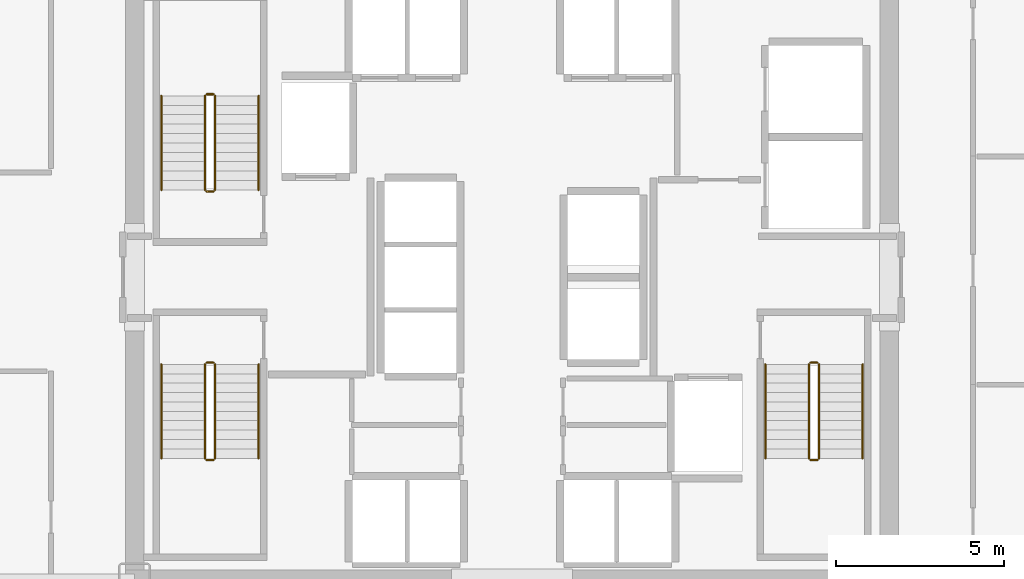
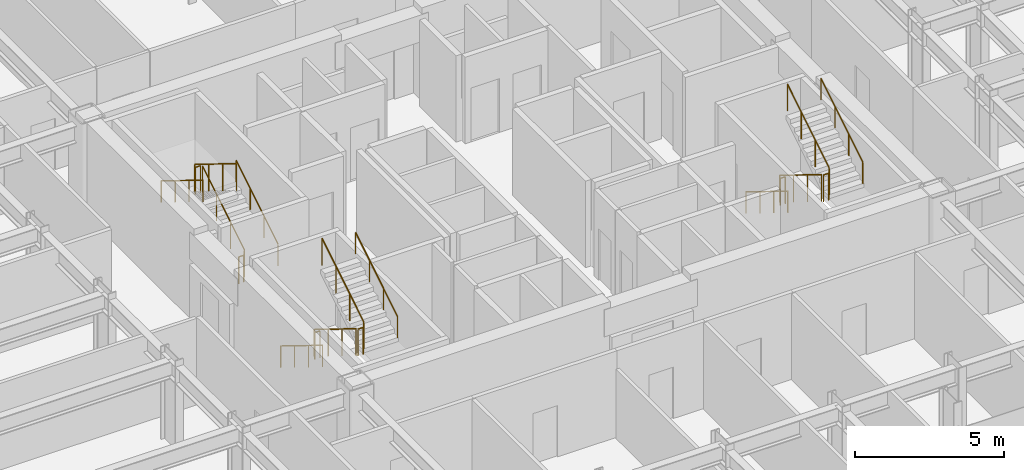
# One storey, part 25 of 26: 18 railings.
"""IFC4 building model written with IfcOpenShell, lengths in metres."""

import ifcopenshell
import ifcopenshell.guid

model = None  # the IFC model being written
_history = None  # IfcOwnerHistory: only IFC2X3 demands one
_inside = {}  # id of a spatial element -> (the spatial element, [elements in it])
_under = {}  # id of a project, library or spatial element -> (it, [spatial elements below it])
_declared = {}  # id of a project -> (the project, [libraries it declares])
_typed = {}  # id of a type object -> (the type object, [elements of that type])
_made_of = {}  # id of a material, layer set ... -> (it, [elements and type objects made of it])


def new_model(schema):
    """Start an empty IFC model of exactly this schema.

    Asked for "IFC4X3", IfcOpenShell would pick the latest addendum, in which some entities
    have other attributes; the version numbers below select the first issue.
    IFC2X3 requires an IfcOwnerHistory on every rooted entity: one is made here for all.
    """
    global model, _history
    if schema == "IFC4X3":
        model = ifcopenshell.file(schema_version=(4, 3, 0, 0))
    else:
        model = ifcopenshell.file(schema=schema)
    _inside.clear()
    _under.clear()
    _declared.clear()
    _typed.clear()
    _made_of.clear()
    _history = None
    if model.schema == "IFC2X3":
        org = make("IfcOrganization", Name="unknown")
        user = make(
            "IfcPersonAndOrganization",
            ThePerson=make("IfcPerson", FamilyName="unknown"),
            TheOrganization=org,
        )
        app = make(
            "IfcApplication",
            ApplicationDeveloper=org,
            Version="unknown",
            ApplicationFullName="unknown",
            ApplicationIdentifier="unknown",
        )
        _history = make(
            "IfcOwnerHistory",
            OwningUser=user,
            OwningApplication=app,
            ChangeAction="ADDED",
            CreationDate=0,
        )
    return model


def make(cls, **values):
    """One entity of the class cls with the attributes given. An attribute that is None is left unset."""
    return model.create_entity(
        cls, **{name: value for name, value in values.items() if value is not None}
    )


def rooted(cls, **values):
    """An entity with a GlobalId (a new one), such as an element, a storey or a relation."""
    return make(cls, GlobalId=ifcopenshell.guid.new(), OwnerHistory=_history, **values)


def si_unit(unit_type, name, prefix=None):
    """IfcSIUnit, for example si_unit("LENGTHUNIT", "METRE", prefix="MILLI")."""
    return make("IfcSIUnit", UnitType=unit_type, Prefix=prefix, Name=name)


def assignment(units):
    """IfcUnitAssignment: the units of a project."""
    return None if units is None else make("IfcUnitAssignment", Units=units)


def point(xyz):
    """IfcCartesianPoint."""
    return None if xyz is None else make("IfcCartesianPoint", Coordinates=xyz)


def direction(xyz):
    """IfcDirection."""
    return None if xyz is None else make("IfcDirection", DirectionRatios=xyz)


def frame(location, z_axis=None, x_axis=None):
    """IfcAxis2Placement3D, a coordinate frame: its origin and axes. An axis left out is left unset."""
    return make(
        "IfcAxis2Placement3D",
        Location=point(location),
        Axis=direction(z_axis),
        RefDirection=direction(x_axis),
    )


def frame_2d(location, x_axis=None):
    """IfcAxis2Placement2D, a coordinate frame in the plane: its origin and x axis."""
    return make(
        "IfcAxis2Placement2D", Location=point(location), RefDirection=direction(x_axis)
    )


def origin():
    """The frame at (0, 0, 0) with its axes left unset."""
    return frame((0.0, 0.0, 0.0))


def origin_2d():
    """The frame at (0, 0) in the plane with its x axis left unset."""
    return frame_2d((0.0, 0.0))


def place(relative_to, where):
    """IfcLocalPlacement: puts the frame where relative to a parent placement (None: the world)."""
    return make(
        "IfcLocalPlacement", PlacementRelTo=relative_to, RelativePlacement=where
    )


def context(
    kind, dimensions, precision=None, world=None, true_north=None, identifier=None
):
    """IfcGeometricRepresentationContext, for example the 3D "Model" context."""
    return make(
        "IfcGeometricRepresentationContext",
        ContextIdentifier=identifier,
        ContextType=kind,
        CoordinateSpaceDimension=dimensions,
        Precision=precision,
        WorldCoordinateSystem=world,
        TrueNorth=true_north,
    )


def subcontext(parent, identifier, kind, view, scale=None):
    """IfcGeometricRepresentationSubContext, for example "Body" below "Model"."""
    return make(
        "IfcGeometricRepresentationSubContext",
        ContextIdentifier=identifier,
        ContextType=kind,
        ParentContext=parent,
        TargetScale=scale,
        TargetView=view,
    )


def project(units=None, contexts=None):
    """IfcProject with its units and contexts."""
    return rooted(
        "IfcProject",
        Name="project",
        RepresentationContexts=contexts,
        UnitsInContext=assignment(units),
    )


def spatial(cls, under=None, at=None, **own):
    """A site, building, storey or space (cls), placed at a placement, below another one or the project."""
    s = rooted(cls, ObjectPlacement=at, **own)
    if under is not None:
        _under.setdefault(under.id(), (under, []))[1].append(s)
    return s


def profile(cls, at=None, kind="AREA", **sizes):
    """A parametric profile (cls). Its sizes go by their IFC names, for example OverallWidth=200.0."""
    return make(cls, ProfileType=kind, Position=at, **sizes)


def circle(**sizes):
    """IfcCircleProfileDef."""
    return profile("IfcCircleProfileDef", **sizes)


def extrude(swept, where, along, depth):
    """IfcExtrudedAreaSolid: the profile swept, set in the frame where, extruded along a direction by depth."""
    return make(
        "IfcExtrudedAreaSolid",
        SweptArea=swept,
        Position=where,
        ExtrudedDirection=direction(along),
        Depth=depth,
    )


def shape(context_of_items, identifier, shape_type, items):
    """IfcShapeRepresentation: the items that make up one representation, for example the "Body"."""
    return make(
        "IfcShapeRepresentation",
        ContextOfItems=context_of_items,
        RepresentationIdentifier=identifier,
        RepresentationType=shape_type,
        Items=items,
    )


def material(Name=None, Category=None):
    """IfcMaterial."""
    return make("IfcMaterial", Name=Name, Category=Category)


def made_of(thing, what):
    """Note that an element or type object is made of a material, layer set ...; save() writes the relation."""
    if what is not None:
        _made_of.setdefault(what.id(), (what, []))[1].append(thing)
    return thing


def type_object(cls, material=None, **own):
    """A type object (cls), such as IfcWallType, which elements share."""
    return made_of(rooted(cls, **own), material)


def element(
    cls,
    number,
    at=None,
    inside=None,
    cuts=None,
    type_object=None,
    material=None,
    context=None,
    identifier="Body",
    shape_type=None,
    held_by="IfcProductDefinitionShape",
    body=None,
    shapes=None,
    **own,
):
    """One element of the class cls, such as IfcWall. Its Tag is "e" and its number.

    at: its placement. inside: the storey or other place that contains it. cuts: it is an
    opening in that element (IfcRelVoidsElement). A single representation is given by context,
    identifier, shape_type and body (its items); several are given by shapes. held_by: the class
    of the entity that holds the representations. save() writes the other relations.
    """
    e = rooted(cls, Tag="e%d" % number, ObjectPlacement=at, **own)
    if body is not None:
        shapes = [shape(context, identifier, shape_type, body)]
    if shapes is not None:
        e.Representation = make(held_by, Representations=shapes)
    if inside is not None:
        _inside.setdefault(inside.id(), (inside, []))[1].append(e)
    if cuts is not None:
        rooted(
            "IfcRelVoidsElement", RelatingBuildingElement=cuts, RelatedOpeningElement=e
        )
    if type_object is not None:
        _typed.setdefault(type_object.id(), (type_object, []))[1].append(e)
    return made_of(e, material)


def aggregate(whole, parts):
    """IfcRelAggregates: a whole, such as a stair, and the parts it consists of."""
    return rooted("IfcRelAggregates", RelatingObject=whole, RelatedObjects=parts)


def save(model, path):
    """Write the relations noted so far, then the file.

    IfcRelAggregates (storeys below a building ...), IfcRelContainedInSpatialStructure (elements
    in a storey), IfcRelDefinesByType, IfcRelAssociatesMaterial and IfcRelDeclares: one each for
    every whole, place, type object, material and project.
    """
    for whole, parts in _under.values():
        aggregate(whole, parts)
    for where, things in _inside.values():
        rooted(
            "IfcRelContainedInSpatialStructure",
            RelatedElements=things,
            RelatingStructure=where,
        )
    for kind, things in _typed.values():
        rooted("IfcRelDefinesByType", RelatedObjects=things, RelatingType=kind)
    for what, things in _made_of.values():
        rooted("IfcRelAssociatesMaterial", RelatedObjects=things, RelatingMaterial=what)
    for by, libraries in _declared.values():
        rooted("IfcRelDeclares", RelatingContext=by, RelatedDefinitions=libraries)
    model.write(path)


model = new_model("IFC4")

# Units and contexts
model_context = context("Model", 3, precision=1e-05, world=origin(), true_north=direction((0.0, 1.0)))
body_context = subcontext(model_context, "Body", "Model", "MODEL_VIEW")
ifc_project = project(units=[si_unit("LENGTHUNIT", "METRE"), si_unit("AREAUNIT", "SQUARE_METRE"), si_unit("VOLUMEUNIT", "CUBIC_METRE"), si_unit("PLANEANGLEUNIT", "RADIAN"), si_unit("MASSUNIT", "GRAM", prefix="KILO")], contexts=[model_context])

# Site, building, storey
site_placement = place(None, origin())
site = spatial("IfcSite", under=ifc_project, at=site_placement, CompositionType="ELEMENT")
building_placement = place(site_placement, origin())
building = spatial("IfcBuilding", under=site, at=building_placement, Name="Nefas-Gora Pilgrimage Tower", CompositionType="ELEMENT")
storey_placement = place(building_placement, frame((0.0, 0.0, 106.0)))
storey = spatial("IfcBuildingStorey", under=building, at=storey_placement, Name="L25", CompositionType="ELEMENT", Elevation=106.0)

# Railings
ifc_material_1 = material(Name="Painted galvanised steel", Category="steel")
railing_type_1 = type_object("IfcRailingType", Name="RLG-STR-GUARD-1100", PredefinedType="GUARDRAIL", material=ifc_material_1)
railing_1_placement = place(storey_placement, frame((-8.85009765625, 2.60009765625, 0.172607421875)))
element("IfcRailing", 1, at=railing_1_placement, inside=storey, type_object=railing_type_1, Name="L25 ST-01 stair guard 1", PredefinedType="GUARDRAIL", context=body_context, shape_type="SweptSolid", body=[
    extrude(circle(Radius=0.02392578125, at=origin_2d()), frame((0.0, 0.0, 1.09619140625), z_axis=(0.0, 0.851069175582, 0.525053576669), x_axis=(-1.0, 0.0, 0.0)), (0.0, 0.0, 1.0), 3.289794921875),
    extrude(circle(Radius=0.02099609375, at=origin_2d()), origin(), (0.0, 0.0, 1.0), 1.072021484375),
    extrude(circle(Radius=0.02099609375, at=origin_2d()), frame((0.0, 0.933349609375, 0.57568359375)), (0.0, 0.0, 1.0), 1.072021484375),
    extrude(circle(Radius=0.02099609375, at=origin_2d()), frame((0.0, 1.866455078125, 1.151611328125)), (0.0, 0.0, 1.0), 1.072021484375),
    extrude(circle(Radius=0.02099609375, at=origin_2d()), frame((0.0, 2.7998046875, 1.727294921875)), (0.0, 0.0, 1.0), 1.072021484375),
])
railing_2_placement = place(storey_placement, frame((-8.89990234375, 5.449951171875, 1.89990234375)))
element("IfcRailing", 2, at=railing_2_placement, inside=storey, type_object=railing_type_1, Name="L25 ST-01 stair guard 2", PredefinedType="GUARDRAIL", context=body_context, shape_type="SweptSolid", body=[
    extrude(circle(Radius=0.02392578125, at=origin_2d()), frame((0.0, 0.0, 1.09619140625), z_axis=(-1.0, 0.0, 0.0), x_axis=(0.0, -1.0, 0.0)), (0.0, 0.0, 1.0), 0.2001953125),
    extrude(circle(Radius=0.02099609375, at=origin_2d()), origin(), (0.0, 0.0, 1.0), 1.072021484375),
    extrude(circle(Radius=0.02099609375, at=origin_2d()), frame((-0.2001953125, 0.0, 0.0)), (0.0, 0.0, 1.0), 1.072021484375),
])
railing_3_placement = place(storey_placement, frame((-9.14990234375, 5.39990234375, 2.07275390625)))
element("IfcRailing", 3, at=railing_3_placement, inside=storey, type_object=railing_type_1, Name="L25 ST-01 stair guard 3", PredefinedType="GUARDRAIL", context=body_context, shape_type="SweptSolid", body=[
    extrude(circle(Radius=0.02392578125, at=origin_2d()), frame((0.0, 0.0, 1.09619140625), z_axis=(0.0, -0.851069175582, 0.525053576669), x_axis=(1.0, 0.0, 0.0)), (0.0, 0.0, 1.0), 3.289794921875),
    extrude(circle(Radius=0.02099609375, at=origin_2d()), origin(), (0.0, 0.0, 1.0), 1.072021484375),
    extrude(circle(Radius=0.02099609375, at=origin_2d()), frame((0.0, -0.933349609375, 0.57568359375)), (0.0, 0.0, 1.0), 1.072021484375),
    extrude(circle(Radius=0.02099609375, at=origin_2d()), frame((0.0, -1.866455078125, 1.151611328125)), (0.0, 0.0, 1.0), 1.072021484375),
    extrude(circle(Radius=0.02099609375, at=origin_2d()), frame((0.0, -2.7998046875, 1.727294921875)), (0.0, 0.0, 1.0), 1.072021484375),
])
railing_4_placement = place(storey_placement, frame((-8.89990234375, 2.550048828125, 0.0)))
element("IfcRailing", 4, at=railing_4_placement, inside=storey, type_object=railing_type_1, Name="L25 ST-01 stair guard 4", PredefinedType="GUARDRAIL", context=body_context, shape_type="SweptSolid", body=[
    extrude(circle(Radius=0.02392578125, at=origin_2d()), frame((0.0, 0.0, 1.09619140625), z_axis=(-1.0, 0.0, 0.0), x_axis=(0.0, -1.0, 0.0)), (0.0, 0.0, 1.0), 0.2001953125),
    extrude(circle(Radius=0.02099609375, at=origin_2d()), origin(), (0.0, 0.0, 1.0), 1.072021484375),
    extrude(circle(Radius=0.02099609375, at=origin_2d()), frame((-0.2001953125, 0.0, 0.0)), (0.0, 0.0, 1.0), 1.072021484375),
])
railing_5_placement = place(storey_placement, frame((8.85009765625, -2.60009765625, 0.172607421875)))
element("IfcRailing", 5, at=railing_5_placement, inside=storey, type_object=railing_type_1, Name="L25 ST-02 stair guard 1", PredefinedType="GUARDRAIL", context=body_context, shape_type="SweptSolid", body=[
    extrude(circle(Radius=0.02392578125, at=origin_2d()), frame((0.0, 0.0, 1.09619140625), z_axis=(0.0, -0.851069175582, 0.525053576669), x_axis=(1.0, 0.0, 0.0)), (0.0, 0.0, 1.0), 3.289794921875),
    extrude(circle(Radius=0.02099609375, at=origin_2d()), origin(), (0.0, 0.0, 1.0), 1.072021484375),
    extrude(circle(Radius=0.02099609375, at=origin_2d()), frame((0.0, -0.933349609375, 0.57568359375)), (0.0, 0.0, 1.0), 1.072021484375),
    extrude(circle(Radius=0.02099609375, at=origin_2d()), frame((0.0, -1.866455078125, 1.151611328125)), (0.0, 0.0, 1.0), 1.072021484375),
    extrude(circle(Radius=0.02099609375, at=origin_2d()), frame((0.0, -2.7998046875, 1.727294921875)), (0.0, 0.0, 1.0), 1.072021484375),
])
railing_6_placement = place(storey_placement, frame((8.89990234375, -5.449951171875, 1.89990234375)))
element("IfcRailing", 6, at=railing_6_placement, inside=storey, type_object=railing_type_1, Name="L25 ST-02 stair guard 2", PredefinedType="GUARDRAIL", context=body_context, shape_type="SweptSolid", body=[
    extrude(circle(Radius=0.02392578125, at=origin_2d()), frame((0.0, 0.0, 1.09619140625), z_axis=(1.0, 0.0, 0.0), x_axis=(0.0, 1.0, 0.0)), (0.0, 0.0, 1.0), 0.2001953125),
    extrude(circle(Radius=0.02099609375, at=origin_2d()), origin(), (0.0, 0.0, 1.0), 1.072021484375),
    extrude(circle(Radius=0.02099609375, at=origin_2d()), frame((0.2001953125, 0.0, 0.0)), (0.0, 0.0, 1.0), 1.072021484375),
])
railing_7_placement = place(storey_placement, frame((9.14990234375, -5.39990234375, 2.07275390625)))
element("IfcRailing", 7, at=railing_7_placement, inside=storey, type_object=railing_type_1, Name="L25 ST-02 stair guard 3", PredefinedType="GUARDRAIL", context=body_context, shape_type="SweptSolid", body=[
    extrude(circle(Radius=0.02392578125, at=origin_2d()), frame((0.0, 0.0, 1.09619140625), z_axis=(0.0, 0.851069175582, 0.525053576669), x_axis=(-1.0, 0.0, 0.0)), (0.0, 0.0, 1.0), 3.289794921875),
    extrude(circle(Radius=0.02099609375, at=origin_2d()), origin(), (0.0, 0.0, 1.0), 1.072021484375),
    extrude(circle(Radius=0.02099609375, at=origin_2d()), frame((0.0, 0.933349609375, 0.57568359375)), (0.0, 0.0, 1.0), 1.072021484375),
    extrude(circle(Radius=0.02099609375, at=origin_2d()), frame((0.0, 1.866455078125, 1.151611328125)), (0.0, 0.0, 1.0), 1.072021484375),
    extrude(circle(Radius=0.02099609375, at=origin_2d()), frame((0.0, 2.7998046875, 1.727294921875)), (0.0, 0.0, 1.0), 1.072021484375),
])
railing_8_placement = place(storey_placement, frame((8.89990234375, -2.550048828125, 0.0)))
element("IfcRailing", 8, at=railing_8_placement, inside=storey, type_object=railing_type_1, Name="L25 ST-02 stair guard 4", PredefinedType="GUARDRAIL", context=body_context, shape_type="SweptSolid", body=[
    extrude(circle(Radius=0.02392578125, at=origin_2d()), frame((0.0, 0.0, 1.09619140625), z_axis=(1.0, 0.0, 0.0), x_axis=(0.0, 1.0, 0.0)), (0.0, 0.0, 1.0), 0.2001953125),
    extrude(circle(Radius=0.02099609375, at=origin_2d()), origin(), (0.0, 0.0, 1.0), 1.072021484375),
    extrude(circle(Radius=0.02099609375, at=origin_2d()), frame((0.2001953125, 0.0, 0.0)), (0.0, 0.0, 1.0), 1.072021484375),
])
railing_9_placement = place(storey_placement, frame((-9.14990234375, -2.60009765625, 0.172607421875)))
element("IfcRailing", 9, at=railing_9_placement, inside=storey, type_object=railing_type_1, Name="L25 ST-03 stair guard 1", PredefinedType="GUARDRAIL", context=body_context, shape_type="SweptSolid", body=[
    extrude(circle(Radius=0.02392578125, at=origin_2d()), frame((0.0, 0.0, 1.09619140625), z_axis=(0.0, -0.851069175582, 0.525053576669), x_axis=(1.0, 0.0, 0.0)), (0.0, 0.0, 1.0), 3.289794921875),
    extrude(circle(Radius=0.02099609375, at=origin_2d()), origin(), (0.0, 0.0, 1.0), 1.072021484375),
    extrude(circle(Radius=0.02099609375, at=origin_2d()), frame((0.0, -0.933349609375, 0.57568359375)), (0.0, 0.0, 1.0), 1.072021484375),
    extrude(circle(Radius=0.02099609375, at=origin_2d()), frame((0.0, -1.866455078125, 1.151611328125)), (0.0, 0.0, 1.0), 1.072021484375),
    extrude(circle(Radius=0.02099609375, at=origin_2d()), frame((0.0, -2.7998046875, 1.727294921875)), (0.0, 0.0, 1.0), 1.072021484375),
])
railing_10_placement = place(storey_placement, frame((-9.10009765625, -5.449951171875, 1.89990234375)))
element("IfcRailing", 10, at=railing_10_placement, inside=storey, type_object=railing_type_1, Name="L25 ST-03 stair guard 2", PredefinedType="GUARDRAIL", context=body_context, shape_type="SweptSolid", body=[
    extrude(circle(Radius=0.02392578125, at=origin_2d()), frame((0.0, 0.0, 1.09619140625), z_axis=(1.0, 0.0, 0.0), x_axis=(0.0, 1.0, 0.0)), (0.0, 0.0, 1.0), 0.2001953125),
    extrude(circle(Radius=0.02099609375, at=origin_2d()), origin(), (0.0, 0.0, 1.0), 1.072021484375),
    extrude(circle(Radius=0.02099609375, at=origin_2d()), frame((0.2001953125, 0.0, 0.0)), (0.0, 0.0, 1.0), 1.072021484375),
])
railing_11_placement = place(storey_placement, frame((-8.85009765625, -5.39990234375, 2.07275390625)))
element("IfcRailing", 11, at=railing_11_placement, inside=storey, type_object=railing_type_1, Name="L25 ST-03 stair guard 3", PredefinedType="GUARDRAIL", context=body_context, shape_type="SweptSolid", body=[
    extrude(circle(Radius=0.02392578125, at=origin_2d()), frame((0.0, 0.0, 1.09619140625), z_axis=(0.0, 0.851069175582, 0.525053576669), x_axis=(-1.0, 0.0, 0.0)), (0.0, 0.0, 1.0), 3.289794921875),
    extrude(circle(Radius=0.02099609375, at=origin_2d()), origin(), (0.0, 0.0, 1.0), 1.072021484375),
    extrude(circle(Radius=0.02099609375, at=origin_2d()), frame((0.0, 0.933349609375, 0.57568359375)), (0.0, 0.0, 1.0), 1.072021484375),
    extrude(circle(Radius=0.02099609375, at=origin_2d()), frame((0.0, 1.866455078125, 1.151611328125)), (0.0, 0.0, 1.0), 1.072021484375),
    extrude(circle(Radius=0.02099609375, at=origin_2d()), frame((0.0, 2.7998046875, 1.727294921875)), (0.0, 0.0, 1.0), 1.072021484375),
])
railing_12_placement = place(storey_placement, frame((-9.10009765625, -2.550048828125, 0.0)))
element("IfcRailing", 12, at=railing_12_placement, inside=storey, type_object=railing_type_1, Name="L25 ST-03 stair guard 4", PredefinedType="GUARDRAIL", context=body_context, shape_type="SweptSolid", body=[
    extrude(circle(Radius=0.02392578125, at=origin_2d()), frame((0.0, 0.0, 1.09619140625), z_axis=(1.0, 0.0, 0.0), x_axis=(0.0, 1.0, 0.0)), (0.0, 0.0, 1.0), 0.2001953125),
    extrude(circle(Radius=0.02099609375, at=origin_2d()), origin(), (0.0, 0.0, 1.0), 1.072021484375),
    extrude(circle(Radius=0.02099609375, at=origin_2d()), frame((0.2001953125, 0.0, 0.0)), (0.0, 0.0, 1.0), 1.072021484375),
])
ifc_material_2 = material(Name="Brushed stainless steel", Category="steel")
railing_type_2 = type_object("IfcRailingType", Name="RLG-STR-HAND-900", PredefinedType="HANDRAIL", material=ifc_material_2)
railing_13_placement = place(storey_placement, frame((-7.550048828125, 2.60009765625, 0.172607421875)))
element("IfcRailing", 13, at=railing_13_placement, inside=storey, type_object=railing_type_2, Name="L25 ST-01 stair handrail 1", PredefinedType="HANDRAIL", context=body_context, shape_type="SweptSolid", body=[
    extrude(circle(Radius=0.02392578125, at=origin_2d()), frame((0.0, 0.0, 0.8759765625), z_axis=(0.0, 0.851069175582, 0.525053576669), x_axis=(-1.0, 0.0, 0.0)), (0.0, 0.0, 1.0), 3.289794921875),
    extrude(circle(Radius=0.02099609375, at=origin_2d()), origin(), (0.0, 0.0, 1.0), 0.851806640625),
    extrude(circle(Radius=0.02099609375, at=origin_2d()), frame((0.0, 0.933349609375, 0.57568359375)), (0.0, 0.0, 1.0), 0.851806640625),
    extrude(circle(Radius=0.02099609375, at=origin_2d()), frame((0.0, 1.866455078125, 1.151611328125)), (0.0, 0.0, 1.0), 0.851806640625),
    extrude(circle(Radius=0.02099609375, at=origin_2d()), frame((0.0, 2.7998046875, 1.727294921875)), (0.0, 0.0, 1.0), 0.851806640625),
])
for number, where, name in (
    (14, (-10.449951171875, 5.39990234375, 2.07275390625), "L25 ST-01 stair handrail 2"),
    (15, (7.550048828125, -2.60009765625, 0.172607421875), "L25 ST-02 stair handrail 1"),
):
    element("IfcRailing", number, at=place(storey_placement, frame(where)), inside=storey, type_object=railing_type_2, Name=name, PredefinedType="HANDRAIL", context=body_context, shape_type="SweptSolid", body=[
        extrude(circle(Radius=0.02392578125, at=origin_2d()), frame((0.0, 0.0, 0.8759765625), z_axis=(0.0, -0.851069175582, 0.525053576669), x_axis=(1.0, 0.0, 0.0)), (0.0, 0.0, 1.0), 3.289794921875),
        extrude(circle(Radius=0.02099609375, at=origin_2d()), origin(), (0.0, 0.0, 1.0), 0.851806640625),
        extrude(circle(Radius=0.02099609375, at=origin_2d()), frame((0.0, -0.933349609375, 0.57568359375)), (0.0, 0.0, 1.0), 0.851806640625),
        extrude(circle(Radius=0.02099609375, at=origin_2d()), frame((0.0, -1.866455078125, 1.151611328125)), (0.0, 0.0, 1.0), 0.851806640625),
        extrude(circle(Radius=0.02099609375, at=origin_2d()), frame((0.0, -2.7998046875, 1.727294921875)), (0.0, 0.0, 1.0), 0.851806640625),
    ])
railing_14_placement = place(storey_placement, frame((10.449951171875, -5.39990234375, 2.07275390625)))
element("IfcRailing", 16, at=railing_14_placement, inside=storey, type_object=railing_type_2, Name="L25 ST-02 stair handrail 2", PredefinedType="HANDRAIL", context=body_context, shape_type="SweptSolid", body=[
    extrude(circle(Radius=0.02392578125, at=origin_2d()), frame((0.0, 0.0, 0.8759765625), z_axis=(0.0, 0.851069175582, 0.525053576669), x_axis=(-1.0, 0.0, 0.0)), (0.0, 0.0, 1.0), 3.289794921875),
    extrude(circle(Radius=0.02099609375, at=origin_2d()), origin(), (0.0, 0.0, 1.0), 0.851806640625),
    extrude(circle(Radius=0.02099609375, at=origin_2d()), frame((0.0, 0.933349609375, 0.57568359375)), (0.0, 0.0, 1.0), 0.851806640625),
    extrude(circle(Radius=0.02099609375, at=origin_2d()), frame((0.0, 1.866455078125, 1.151611328125)), (0.0, 0.0, 1.0), 0.851806640625),
    extrude(circle(Radius=0.02099609375, at=origin_2d()), frame((0.0, 2.7998046875, 1.727294921875)), (0.0, 0.0, 1.0), 0.851806640625),
])
railing_15_placement = place(storey_placement, frame((-10.449951171875, -2.60009765625, 0.172607421875)))
element("IfcRailing", 17, at=railing_15_placement, inside=storey, type_object=railing_type_2, Name="L25 ST-03 stair handrail 1", PredefinedType="HANDRAIL", context=body_context, shape_type="SweptSolid", body=[
    extrude(circle(Radius=0.02392578125, at=origin_2d()), frame((0.0, 0.0, 0.8759765625), z_axis=(0.0, -0.851069175582, 0.525053576669), x_axis=(1.0, 0.0, 0.0)), (0.0, 0.0, 1.0), 3.289794921875),
    extrude(circle(Radius=0.02099609375, at=origin_2d()), origin(), (0.0, 0.0, 1.0), 0.851806640625),
    extrude(circle(Radius=0.02099609375, at=origin_2d()), frame((0.0, -0.933349609375, 0.57568359375)), (0.0, 0.0, 1.0), 0.851806640625),
    extrude(circle(Radius=0.02099609375, at=origin_2d()), frame((0.0, -1.866455078125, 1.151611328125)), (0.0, 0.0, 1.0), 0.851806640625),
    extrude(circle(Radius=0.02099609375, at=origin_2d()), frame((0.0, -2.7998046875, 1.727294921875)), (0.0, 0.0, 1.0), 0.851806640625),
])
railing_16_placement = place(storey_placement, frame((-7.550048828125, -5.39990234375, 2.07275390625)))
element("IfcRailing", 18, at=railing_16_placement, inside=storey, type_object=railing_type_2, Name="L25 ST-03 stair handrail 2", PredefinedType="HANDRAIL", context=body_context, shape_type="SweptSolid", body=[
    extrude(circle(Radius=0.02392578125, at=origin_2d()), frame((0.0, 0.0, 0.8759765625), z_axis=(0.0, 0.851069175582, 0.525053576669), x_axis=(-1.0, 0.0, 0.0)), (0.0, 0.0, 1.0), 3.289794921875),
    extrude(circle(Radius=0.02099609375, at=origin_2d()), origin(), (0.0, 0.0, 1.0), 0.851806640625),
    extrude(circle(Radius=0.02099609375, at=origin_2d()), frame((0.0, 0.933349609375, 0.57568359375)), (0.0, 0.0, 1.0), 0.851806640625),
    extrude(circle(Radius=0.02099609375, at=origin_2d()), frame((0.0, 1.866455078125, 1.151611328125)), (0.0, 0.0, 1.0), 0.851806640625),
    extrude(circle(Radius=0.02099609375, at=origin_2d()), frame((0.0, 2.7998046875, 1.727294921875)), (0.0, 0.0, 1.0), 0.851806640625),
])

save(model, "model.ifc")
